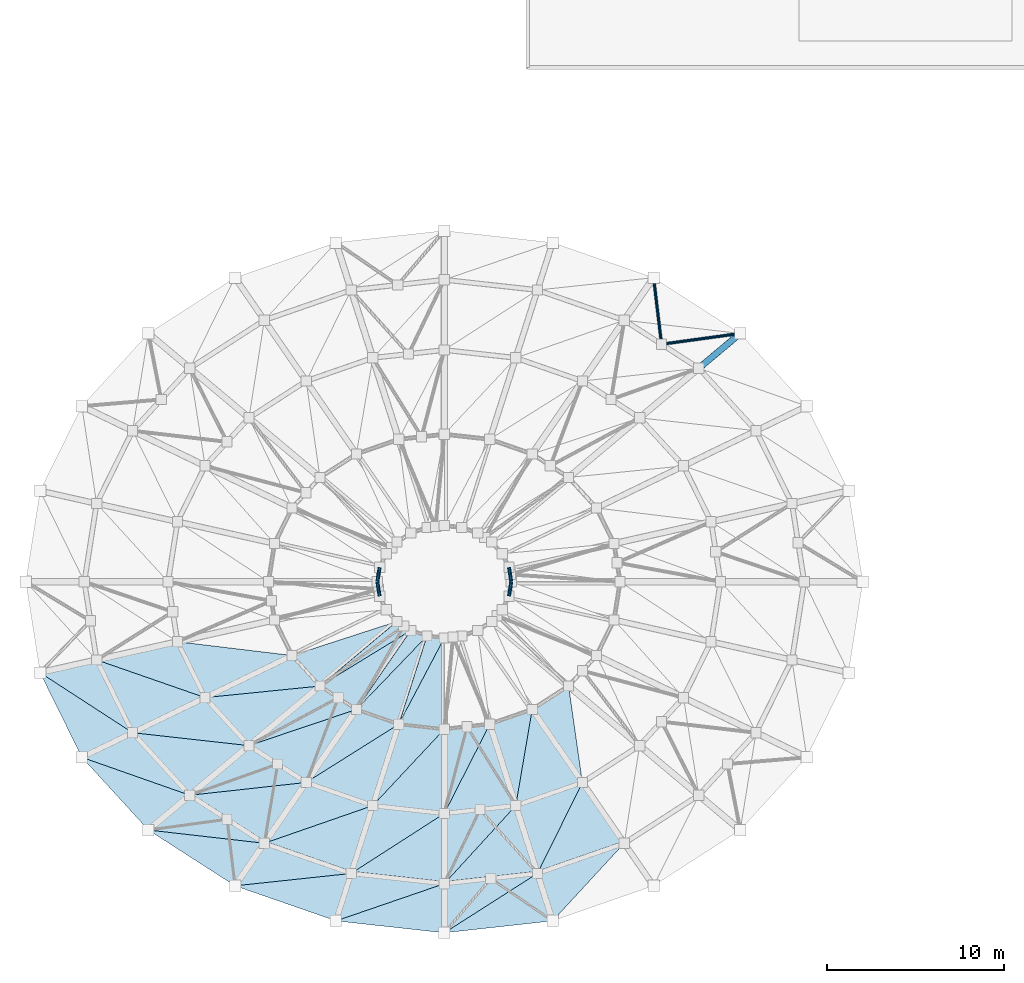
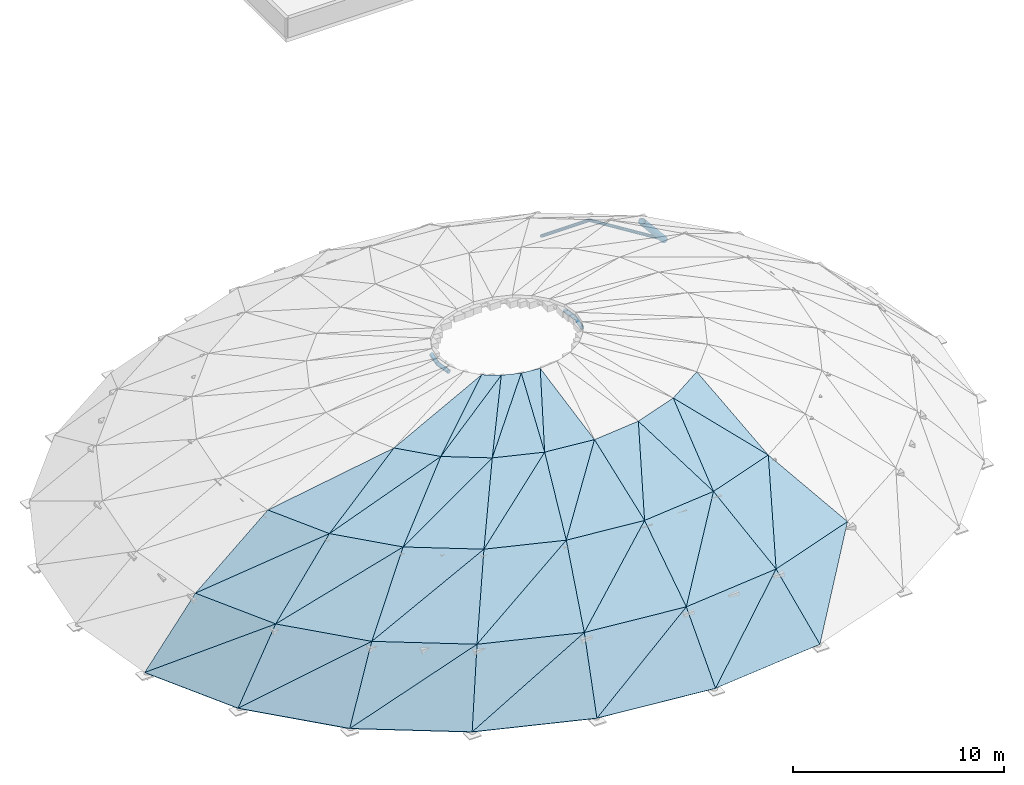
# One storey, part 5 of 11: 48 slabs, 7 members.
"""IFC4 building model written with IfcOpenShell, lengths in metres."""

from ifc_helpers import new_model, si_unit, direction, frame, origin, origin_2d, place, context, subcontext, project, spatial, polyline, hollow_circle, outline, extrude, material, layer, layer_set, material_profile, profile_set, type_object, element, save


model = new_model("IFC4")

# Units and contexts
model_context = context("Model", 3, precision=1e-05, world=origin(), true_north=direction((0.0, 1.0)))
body_context = subcontext(model_context, "Body", "Model", "MODEL_VIEW")
ifc_project = project(units=[si_unit("LENGTHUNIT", "METRE"), si_unit("AREAUNIT", "SQUARE_METRE"), si_unit("VOLUMEUNIT", "CUBIC_METRE"), si_unit("PLANEANGLEUNIT", "RADIAN"), si_unit("MASSUNIT", "GRAM", prefix="KILO")], contexts=[model_context])

# Site, building, storey
site_placement = place(None, origin())
site = spatial("IfcSite", under=ifc_project, at=site_placement, CompositionType="ELEMENT")
building_placement = place(site_placement, origin())
building = spatial("IfcBuilding", under=site, at=building_placement, Name="Parian Resonance Hall", CompositionType="ELEMENT")
storey_placement = place(building_placement, frame((0.0, 0.0, 27.60009765625)))
storey = spatial("IfcBuildingStorey", under=building, at=storey_placement, Name="ROOF", CompositionType="ELEMENT", Elevation=27.60009765625)

# Members
ifc_material_1 = material(Name="Hollow structural steel S355", Category="steel")
ifc_material_profile_1 = material_profile(ifc_material_1, hollow_circle(Radius=0.084228515625, WallThickness=0.008056640625, at=origin_2d()), Name="CHS168.3x8")
ifc_profile_set_1 = profile_set([ifc_material_profile_1], Name="Hollow structural steel S355")
member_type_1 = type_object("IfcMemberType", Name="MEM-CHS168", PredefinedType="BRACE", material=ifc_profile_set_1)
member_1_placement = place(storey_placement, frame((60.687744140625, 58.000732421875, -6.830078125), z_axis=(-0.819796544168, -0.112159423773, 0.561563789635), x_axis=(0.13555099096, -0.990770371403, 0.0)))
element("IfcMember", 1, at=member_1_placement, inside=storey, type_object=member_type_1, Name="Dome sector K-brace 2.1A", PredefinedType="BRACE", context=body_context, shape_type="SweptSolid", body=[
    extrude(hollow_circle(Radius=0.084228515625, WallThickness=0.008056640625, at=origin_2d()), origin(), (0.0, 0.0, 1.0), 5.41357421875),
])
member_2_placement = place(storey_placement, frame((55.800048828125, 61.147216796875, -6.830078125), z_axis=(0.092700336996, -0.773760956199, 0.626658304168), x_axis=(0.992899738478, 0.118954232083, 0.0)))
element("IfcMember", 2, at=member_2_placement, inside=storey, type_object=member_type_1, Name="Dome sector K-brace 2.1B", PredefinedType="BRACE", context=body_context, shape_type="SweptSolid", body=[
    extrude(hollow_circle(Radius=0.084228515625, WallThickness=0.008056640625, at=origin_2d()), origin(), (0.0, 0.0, 1.0), 4.85107421875),
])
ifc_material_2 = material(Name="Hollow structural steel S355", Category="steel")
ifc_material_profile_2 = material_profile(ifc_material_2, hollow_circle(Radius=0.109619140625, WallThickness=0.010009765625, at=origin_2d()), Name="CHS219.1x10")
ifc_profile_set_2 = profile_set([ifc_material_profile_2], Name="Hollow structural steel S355")
member_type_2 = type_object("IfcMemberType", Name="MEM-CHS219", PredefinedType="CHORD", material=ifc_profile_set_2)
for number, where, z_axis, x_axis, name in (
    (3, (47.77587890625, 44.0, 1.619873046875), (-0.155040958487, 0.987908042882, 0.0), (-0.987908042882, -0.155040958487, 0.0), "Dome tubular hoop ring J4-01"),
    (4, (40.352783203125, 44.81982421875, 1.619873046875), (-0.155040958487, -0.987908042882, 0.0), (0.987908042882, -0.155040958487, 0.0), "Dome tubular hoop ring J4-12"),
    (5, (40.22412109375, 44.0, 1.619873046875), (0.155040958487, -0.987908042882, 0.0), (0.987908042882, 0.155040958487, 0.0), "Dome tubular hoop ring J4-13"),
    (6, (47.647216796875, 43.18017578125, 1.619873046875), (0.155040958487, 0.987908042882, 0.0), (-0.987908042882, 0.155040958487, 0.0), "Dome tubular hoop ring J4-24"),
):
    element("IfcMember", number, at=place(storey_placement, frame(where, z_axis=z_axis, x_axis=x_axis)), inside=storey, type_object=member_type_2, Name=name, PredefinedType="CHORD", context=body_context, shape_type="SweptSolid", body=[
        extrude(hollow_circle(Radius=0.109619140625, WallThickness=0.010009765625, at=origin_2d()), origin(), (0.0, 0.0, 1.0), 0.829833984375),
    ])
ifc_material_3 = material(Name="Hollow structural steel S355", Category="steel")
ifc_material_profile_3 = material_profile(ifc_material_3, hollow_circle(Radius=0.177734375, WallThickness=0.01611328125, at=origin_2d()), Name="CHS355.6x16")
ifc_profile_set_3 = profile_set([ifc_material_profile_3], Name="Hollow structural steel S355")
member_type_3 = type_object("IfcMemberType", Name="MEM-CHS355", PredefinedType="CHORD", material=ifc_profile_set_3)
member_3_placement = place(storey_placement, frame((60.687744140625, 58.000732421875, -6.830078125), z_axis=(-0.542575906684, -0.455208145744, 0.705972329157), x_axis=(0.642732013242, -0.766091090637, 0.0)))
element("IfcMember", 7, at=member_3_placement, inside=storey, type_object=member_type_3, Name="Dome meridional arch rib 04.1", PredefinedType="CHORD", context=body_context, shape_type="SweptSolid", body=[
    extrude(hollow_circle(Radius=0.177734375, WallThickness=0.01611328125, at=origin_2d()), origin(), (0.0, 0.0, 1.0), 4.30615234375),
])

# Slabs
ifc_material_4 = material(Name="Concrete C35/45", Category="concrete")
ifc_layer = layer(ifc_material_4, 0.159912109375)
ifc_layer_set = layer_set([ifc_layer], Name="Concrete C35/45")
slab_type = type_object("IfcSlabType", Name="SLB-DOME-160", PredefinedType="ROOF", material=ifc_layer_set)
slab_1_placement = place(storey_placement, frame((21.2041015625, 38.87548828125, -6.489990234375), z_axis=(-0.619669601873, -0.305938105587, 0.722780367791), x_axis=(0.442697046574, -0.896671246865, 0.0)))
element("IfcSlab", 8, at=slab_1_placement, inside=storey, type_object=slab_type, Name="Main Concert Hall dome roof panel R1-14A", PredefinedType="ROOF", context=body_context, shape_type="SweptSolid", body=[
    extrude(outline(polyline([(0.0, 0.0), (5.325687247911857, -2.220446049250313e-16), (5.349614669149024, 4.398629034851133), (0.0, 0.0)])), origin(), (0.0, 0.0, -1.0), 0.159912109375),
])
slab_2_placement = place(storey_placement, frame((21.2041015625, 38.87548828125, -6.489990234375), z_axis=(-0.619672754495, -0.305949838064, 0.722772698658), x_axis=(0.753561382071, -0.489390123371, 0.43891064079)))
element("IfcSlab", 9, at=slab_2_placement, inside=storey, type_object=slab_type, Name="Main Concert Hall dome roof panel R1-14B", PredefinedType="ROOF", context=body_context, shape_type="SweptSolid", body=[
    extrude(outline(polyline([(0.0, 0.0), (6.925771761660201, 0.0), (3.388086570421104, 2.908744472500953), (0.0, 0.0)])), origin(), (0.0, 0.0, -1.0), 0.159912109375),
])
slab_3_placement = place(storey_placement, frame((23.561767578125, 34.10009765625, -6.489990234375), z_axis=(-0.52117244389, -0.476647680124, 0.707945105754), x_axis=(0.674882684077, -0.737925038695, 0.0)))
element("IfcSlab", 10, at=slab_3_placement, inside=storey, type_object=slab_type, Name="Main Concert Hall dome roof panel R1-15A", PredefinedType="ROOF", context=body_context, shape_type="SweptSolid", body=[
    extrude(outline(polyline([(0.0, 0.0), (5.557244791931365, -2.220446049250313e-16), (5.6875736862013655, 4.304027988520998), (0.0, 0.0)])), origin(), (0.0, 0.0, -1.0), 0.159912109375),
])
slab_4_placement = place(storey_placement, frame((23.561767578125, 34.10009765625, -6.489990234375), z_axis=(-0.521172881275, -0.476686473341, 0.707918663377), x_axis=(0.853400415025, -0.300120922467, 0.426186770715)))
element("IfcSlab", 11, at=slab_4_placement, inside=storey, type_object=slab_type, Name="Main Concert Hall dome roof panel R1-15B", PredefinedType="ROOF", context=body_context, shape_type="SweptSolid", body=[
    extrude(outline(polyline([(0.0, 0.0), (7.13254171820553, 4.440892098500626e-16), (3.321415495465745, 2.8838704919261735), (0.0, 0.0)])), origin(), (0.0, 0.0, -1.0), 0.159912109375),
])
slab_5_placement = place(storey_placement, frame((27.312255859375, 29.999267578125, -6.489990234375), z_axis=(-0.390828024335, -0.607105605772, 0.691864321117), x_axis=(0.840834423093, -0.541292409832, 0.0)))
element("IfcSlab", 12, at=slab_5_placement, inside=storey, type_object=slab_type, Name="Main Concert Hall dome roof panel R1-16A", PredefinedType="ROOF", context=body_context, shape_type="SweptSolid", body=[
    extrude(outline(polyline([(0.0, 0.0), (5.812910578183155, 0.0), (5.902607422714244, 4.21008171421442), (0.0, 0.0)])), origin(), (0.0, 0.0, -1.0), 0.159912109375),
])
slab_6_placement = place(storey_placement, frame((27.312255859375, 29.999267578125, -6.489990234375), z_axis=(-0.390832225607, -0.607087552172, 0.691877789371), x_axis=(0.902014402417, -0.102872811415, 0.419269844495)))
element("IfcSlab", 13, at=slab_6_placement, inside=storey, type_object=slab_type, Name="Main Concert Hall dome roof panel R1-16B", PredefinedType="ROOF", context=body_context, shape_type="SweptSolid", body=[
    extrude(outline(polyline([(0.0, 0.0), (7.250211198788897, 2.220446049250313e-16), (3.1803322417215805, 2.9029518388908793), (0.0, 0.0)])), origin(), (0.0, 0.0, -1.0), 0.159912109375),
])
slab_7_placement = place(storey_placement, frame((32.199951171875, 26.852783203125, -6.489990234375), z_axis=(-0.241052395654, -0.693642995837, 0.678787991111), x_axis=(0.944587494416, -0.328259752928, 0.0)))
element("IfcSlab", 14, at=slab_7_placement, inside=storey, type_object=slab_type, Name="Main Concert Hall dome roof panel R1-17A", PredefinedType="ROOF", context=body_context, shape_type="SweptSolid", body=[
    extrude(outline(polyline([(0.0, 0.0), (6.025799160899435, 0.0), (5.954721349029344, 4.139524634468421), (0.0, 0.0)])), origin(), (0.0, 0.0, -1.0), 0.159912109375),
])
slab_8_placement = place(storey_placement, frame((32.199951171875, 26.852783203125, -6.489990234375), z_axis=(-0.241058389175, -0.693630984924, 0.678798136239), x_axis=(0.902777264177, 0.09644840444, 0.419155003031)))
element("IfcSlab", 15, at=slab_8_placement, inside=storey, type_object=slab_type, Name="Main Concert Hall dome roof panel R1-17B", PredefinedType="ROOF", context=body_context, shape_type="SweptSolid", body=[
    extrude(outline(polyline([(0.0, 0.0), (7.252197635472765, -4.440892098500626e-16), (2.9971606079785453, 2.9580165405661853), (0.0, 0.0)])), origin(), (0.0, 0.0, -1.0), 0.159912109375),
])
slab_9_placement = place(storey_placement, frame((37.891845703125, 24.874755859375, -6.489990234375), z_axis=(-0.081361000053, -0.7364583431, 0.671572406036), x_axis=(0.993952820696, -0.109807969799, 0.0)))
element("IfcSlab", 16, at=slab_9_placement, inside=storey, type_object=slab_type, Name="Main Concert Hall dome roof panel R1-18A", PredefinedType="ROOF", context=body_context, shape_type="SweptSolid", body=[
    extrude(outline(polyline([(0.0, 0.0), (6.145316125367718, -5.551115123125783e-17), (5.840931435646422, 4.1026254441172165), (0.0, 0.0)])), origin(), (0.0, 0.0, -1.0), 0.159912109375),
])
slab_10_placement = place(storey_placement, frame((37.891845703125, 24.874755859375, -6.489990234375), z_axis=(-0.081360926314, -0.736458431038, 0.671572318535), x_axis=(0.855748925928, 0.293812033803, 0.425873531186)))
element("IfcSlab", 17, at=slab_10_placement, inside=storey, type_object=slab_type, Name="Main Concert Hall dome roof panel R1-18B", PredefinedType="ROOF", context=body_context, shape_type="SweptSolid", body=[
    extrude(outline(polyline([(0.0, 0.0), (7.137787862541207, -2.220446049250313e-16), (2.813104589609881, 3.0376238777417743), (0.0, 0.0)])), origin(), (0.0, 0.0, -1.0), 0.159912109375),
])
slab_11_placement = place(storey_placement, frame((44.0, 24.199951171875, -6.489990234375), z_axis=(0.081361007933, -0.736458414425, 0.671572326865), x_axis=(0.993952820696, 0.109807969799, 0.0)))
element("IfcSlab", 18, at=slab_11_placement, inside=storey, type_object=slab_type, Name="Main Concert Hall dome roof panel R1-19A", PredefinedType="ROOF", context=body_context, shape_type="SweptSolid", body=[
    extrude(outline(polyline([(0.0, 0.0), (6.145316125367718, -5.551115123125783e-17), (5.589272979344704, 4.1026250467806555), (0.0, 0.0)])), origin(), (0.0, 0.0, -1.0), 0.159912109375),
])
slab_12_placement = place(storey_placement, frame((44.0, 24.199951171875, -6.489990234375), z_axis=(0.081360917152, -0.7364583481, 0.671572410596), x_axis=(0.75763098785, 0.483502095843, 0.43843016498)))
element("IfcSlab", 19, at=slab_12_placement, inside=storey, type_object=slab_type, Name="Main Concert Hall dome roof panel R1-19B", PredefinedType="ROOF", context=body_context, shape_type="SweptSolid", body=[
    extrude(outline(polyline([(0.0, 0.0), (6.933361717962276, -2.220446049250313e-16), (2.6729923780216516, 3.127186806235418), (0.0, 0.0)])), origin(), (0.0, 0.0, -1.0), 0.159912109375),
])
slab_13_placement = place(storey_placement, frame((50.108154296875, 24.874755859375, -6.489990234375), z_axis=(0.241061504421, -0.693639948859, 0.678787869981), x_axis=(0.60401178601, 0.654677668586, 0.454496328495)))
element("IfcSlab", 20, at=slab_13_placement, inside=storey, type_object=slab_type, Name="Main Concert Hall dome roof panel R1-20B", PredefinedType="ROOF", context=body_context, shape_type="SweptSolid", body=[
    extrude(outline(polyline([(0.0, 0.0), (6.688271678538515, -2.220446049250313e-16), (2.6179029519247647, 3.207382170714109), (0.0, 0.0)])), origin(), (0.0, 0.0, -1.0), 0.159912109375),
])
slab_14_placement = place(storey_placement, frame((24.3955078125, 39.5927734375, -3.4501953125), z_axis=(-0.445487850061, -0.219949859982, 0.867849430801), x_axis=(0.442708885431, -0.896665401786, 0.0)))
element("IfcSlab", 21, at=slab_14_placement, inside=storey, type_object=slab_type, Name="Main Concert Hall dome roof panel R2-14A", PredefinedType="ROOF", context=body_context, shape_type="SweptSolid", body=[
    extrude(outline(polyline([(0.0, 0.0), (4.579957523669543, 0.0), (4.614214960262486, 5.233403356127788), (0.0, 0.0)])), origin(), (0.0, 0.0, -1.0), 0.159912109375),
])
slab_15_placement = place(storey_placement, frame((24.3955078125, 39.5927734375, -3.4501953125), z_axis=(-0.445487627997, -0.219948732832, 0.867849830459), x_axis=(0.87647613427, -0.304814101151, 0.372663319625)))
element("IfcSlab", 22, at=slab_15_placement, inside=storey, type_object=slab_type, Name="Main Concert Hall dome roof panel R2-14B", PredefinedType="ROOF", context=body_context, shape_type="SweptSolid", body=[
    extrude(outline(polyline([(0.0, 0.0), (6.9770688965667915, -1.1102230246251565e-16), (4.652408514316593, 2.6366185010433854), (0.0, 0.0)])), origin(), (0.0, 0.0, -1.0), 0.159912109375),
])
slab_16_placement = place(storey_placement, frame((26.423095703125, 35.486083984375, -3.4501953125), z_axis=(-0.378427647117, -0.346125723344, 0.858480925552), x_axis=(0.674912283642, -0.737897966788, 0.0)))
element("IfcSlab", 23, at=slab_16_placement, inside=storey, type_object=slab_type, Name="Main Concert Hall dome roof panel R2-15A", PredefinedType="ROOF", context=body_context, shape_type="SweptSolid", body=[
    extrude(outline(polyline([(0.0, 0.0), (4.779266899834884, 0.0), (4.965570399905479, 5.069943458447083), (0.0, 0.0)])), origin(), (0.0, 0.0, -1.0), 0.159912109375),
])
slab_17_placement = place(storey_placement, frame((26.423095703125, 35.486083984375, -3.4501953125), z_axis=(-0.37842863285, -0.346102102514, 0.858490014196), x_axis=(0.924812145276, -0.102382298354, 0.366388265278)))
element("IfcSlab", 24, at=slab_17_placement, inside=storey, type_object=slab_type, Name="Main Concert Hall dome roof panel R2-15B", PredefinedType="ROOF", context=body_context, shape_type="SweptSolid", body=[
    extrude(outline(polyline([(0.0, 0.0), (7.096563680279902, 1.1102230246251565e-16), (4.530235433086178, 2.6204295794205206), (0.0, 0.0)])), origin(), (0.0, 0.0, -1.0), 0.159912109375),
])
slab_18_placement = place(storey_placement, frame((29.648681640625, 31.95947265625, -3.4501953125), z_axis=(-0.286852143249, -0.445573200138, 0.848045029012), x_axis=(0.84082444834, -0.54130790413, 0.0)))
element("IfcSlab", 25, at=slab_18_placement, inside=storey, type_object=slab_type, Name="Main Concert Hall dome roof panel R2-16A", PredefinedType="ROOF", context=body_context, shape_type="SweptSolid", body=[
    extrude(outline(polyline([(0.0, 0.0), (4.999104330187486, 0.0), (5.126950274607668, 4.906546616295962), (0.0, 0.0)])), origin(), (0.0, 0.0, -1.0), 0.159912109375),
])
slab_19_placement = place(storey_placement, frame((29.648681640625, 31.95947265625, -3.4501953125), z_axis=(-0.286849115746, -0.445583983818, 0.848040387104), x_axis=(0.924859377949, 0.101936477955, 0.366393348032)))
element("IfcSlab", 26, at=slab_19_placement, inside=storey, type_object=slab_type, Name="Main Concert Hall dome roof panel R2-16B", PredefinedType="ROOF", context=body_context, shape_type="SweptSolid", body=[
    extrude(outline(polyline([(0.0, 0.0), (7.096465233916461, -1.1102230246251565e-16), (4.324713456730808, 2.6525250579703097), (0.0, 0.0)])), origin(), (0.0, 0.0, -1.0), 0.159912109375),
])
slab_20_placement = place(storey_placement, frame((33.85205078125, 29.25341796875, -3.4501953125), z_axis=(-0.178471496196, -0.513540972838, 0.839299466378), x_axis=(0.944583201085, -0.328272106991, 0.0)))
element("IfcSlab", 27, at=slab_20_placement, inside=storey, type_object=slab_type, Name="Main Concert Hall dome roof panel R2-17A", PredefinedType="ROOF", context=body_context, shape_type="SweptSolid", body=[
    extrude(outline(polyline([(0.0, 0.0), (5.182200493961035, 0.0), (5.080323212419897, 4.782497789224821), (0.0, 0.0)])), origin(), (0.0, 0.0, -1.0), 0.159912109375),
])
slab_21_placement = place(storey_placement, frame((33.85205078125, 29.25341796875, -3.4501953125), z_axis=(-0.178482549537, -0.513521127472, 0.839309258349), x_axis=(0.876628775796, 0.304386449553, 0.372653832364)))
element("IfcSlab", 28, at=slab_21_placement, inside=storey, type_object=slab_type, Name="Main Concert Hall dome roof panel R2-17B", PredefinedType="ROOF", context=body_context, shape_type="SweptSolid", body=[
    extrude(outline(polyline([(0.0, 0.0), (6.977246523277841, 0.0), (4.081536503512632, 2.726096853357181), (0.0, 0.0)])), origin(), (0.0, 0.0, -1.0), 0.159912109375),
])
slab_22_placement = place(storey_placement, frame((38.7470703125, 27.55224609375, -3.4501953125), z_axis=(-0.060524548482, -0.547852833459, 0.834382437436), x_axis=(0.993952832989, -0.109807858525, 0.0)))
element("IfcSlab", 29, at=slab_22_placement, inside=storey, type_object=slab_type, Name="Main Concert Hall dome roof panel R2-18A", PredefinedType="ROOF", context=body_context, shape_type="SweptSolid", body=[
    extrude(outline(polyline([(0.0, 0.0), (5.284888289623441, 0.0), (4.850053459235713, 4.717278571257404), (0.0, 0.0)])), origin(), (0.0, 0.0, -1.0), 0.159912109375),
])
slab_23_placement = place(storey_placement, frame((38.7470703125, 27.55224609375, -3.4501953125), z_axis=(-0.060515975073, -0.547862004592, 0.834377037487), x_axis=(0.776397129933, 0.499519681616, 0.384301423768)))
element("IfcSlab", 30, at=slab_23_placement, inside=storey, type_object=slab_type, Name="Main Concert Hall dome roof panel R2-18B", PredefinedType="ROOF", context=body_context, shape_type="SweptSolid", body=[
    extrude(outline(polyline([(0.0, 0.0), (6.765776797699479, 0.0), (3.8581786757970504, 2.8279182078093124), (0.0, 0.0)])), origin(), (0.0, 0.0, -1.0), 0.159912109375),
])
slab_24_placement = place(storey_placement, frame((44.0, 26.971923828125, -3.4501953125), z_axis=(0.060525299127, -0.547859628106, 0.834377921602), x_axis=(0.993952832989, 0.109807858525, 0.0)))
element("IfcSlab", 31, at=slab_24_placement, inside=storey, type_object=slab_type, Name="Main Concert Hall dome roof panel R2-19A", PredefinedType="ROOF", context=body_context, shape_type="SweptSolid", body=[
    extrude(outline(polyline([(0.0, 0.0), (5.284888289623441, 0.0), (4.490848664638484, 4.717220066775373), (0.0, 0.0)])), origin(), (0.0, 0.0, -1.0), 0.159912109375),
])
slab_25_placement = place(storey_placement, frame((44.0, 26.971923828125, -3.4501953125), z_axis=(0.060514997153, -0.547853151306, 0.83438292152), x_axis=(0.618986646287, 0.676375888427, 0.399213212799)))
element("IfcSlab", 32, at=slab_25_placement, inside=storey, type_object=slab_type, Name="Main Concert Hall dome roof panel R2-19B", PredefinedType="ROOF", context=body_context, shape_type="SweptSolid", body=[
    extrude(outline(polyline([(0.0, 0.0), (6.513055111625689, -1.1102230246251565e-16), (3.716415436180972, 2.937695483585462), (0.0, 0.0)])), origin(), (0.0, 0.0, -1.0), 0.159912109375),
])
slab_26_placement = place(storey_placement, frame((49.2529296875, 27.55224609375, -3.4501953125), z_axis=(0.17846761139, -0.513529794543, 0.839307131985), x_axis=(0.944583201085, 0.328272106991, 0.0)))
element("IfcSlab", 33, at=slab_26_placement, inside=storey, type_object=slab_type, Name="Main Concert Hall dome roof panel R2-20A", PredefinedType="ROOF", context=body_context, shape_type="SweptSolid", body=[
    extrude(outline(polyline([(0.0, 0.0), (5.182200493961035, 0.0), (4.078903879021692, 4.782601892574108), (0.0, 0.0)])), origin(), (0.0, 0.0, -1.0), 0.159912109375),
])
slab_27_placement = place(storey_placement, frame((49.2529296875, 27.55224609375, -3.4501953125), z_axis=(0.178487612003, -0.513535692949, 0.839299269885), x_axis=(0.403317588851, 0.816228729748, 0.413649106439)))
element("IfcSlab", 34, at=slab_27_placement, inside=storey, type_object=slab_type, Name="Main Concert Hall dome roof panel R2-20B", PredefinedType="ROOF", context=body_context, shape_type="SweptSolid", body=[
    extrude(outline(polyline([(0.0, 0.0), (6.285756733850878, -6.661338147750939e-16), (3.704936668826436, 3.0259062054894867), (0.0, 0.0)])), origin(), (0.0, 0.0, -1.0), 0.159912109375),
])
slab_28_placement = place(storey_placement, frame((28.95458984375, 40.617919921875, -0.85009765625), z_axis=(-0.281201307646, -0.138836338879, 0.949552681838), x_axis=(0.442707238803, -0.896666214771, 0.0)))
element("IfcSlab", 35, at=slab_28_placement, inside=storey, type_object=slab_type, Name="Main Concert Hall dome roof panel R3-14A", PredefinedType="ROOF", context=body_context, shape_type="SweptSolid", body=[
    extrude(outline(polyline([(0.0, 0.0), (3.5150822199271383, -2.220446049250313e-16), (3.5562243683363417, 5.739813170256576), (0.0, 0.0)])), origin(), (0.0, 0.0, -1.0), 0.159912109375),
])
slab_29_placement = place(storey_placement, frame((30.5107421875, 37.466064453125, -0.85009765625), z_axis=(-0.240431344186, -0.219892963982, 0.945431040914), x_axis=(0.674886246736, -0.737921780385, 0.0)))
element("IfcSlab", 36, at=slab_29_placement, inside=storey, type_object=slab_type, Name="Main Concert Hall dome roof panel R3-15A", PredefinedType="ROOF", context=body_context, shape_type="SweptSolid", body=[
    extrude(outline(polyline([(0.0, 0.0), (3.6677911408702673, 0.0), (3.891299786933998, 5.524634238205889), (0.0, 0.0)])), origin(), (0.0, 0.0, -1.0), 0.159912109375),
])
slab_30_placement = place(storey_placement, frame((30.5107421875, 37.466064453125, -0.85009765625), z_axis=(-0.240432914655, -0.219882801609, 0.945433005087), x_axis=(0.959003976477, 0.096716909472, 0.266377950519)))
element("IfcSlab", 37, at=slab_30_placement, inside=storey, type_object=slab_type, Name="Main Concert Hall dome roof panel R3-15B", PredefinedType="ROOF", context=body_context, shape_type="SweptSolid", body=[
    extrude(outline(polyline([(0.0, 0.0), (6.757499352404655, 1.1102230246251565e-16), (5.413467160044733, 1.9082770273059912), (0.0, 0.0)])), origin(), (0.0, 0.0, -1.0), 0.159912109375),
])
slab_31_placement = place(storey_placement, frame((32.986083984375, 34.759521484375, -0.85009765625), z_axis=(-0.183572805246, -0.285157239091, 0.940737144035), x_axis=(0.840833011085, -0.541294603216, 0.0)))
element("IfcSlab", 38, at=slab_31_placement, inside=storey, type_object=slab_type, Name="Main Concert Hall dome roof panel R3-16A", PredefinedType="ROOF", context=body_context, shape_type="SweptSolid", body=[
    extrude(outline(polyline([(0.0, 0.0), (3.83646935312824, -2.220446049250313e-16), (3.9901805583972783, 5.307739972075415), (0.0, 0.0)])), origin(), (0.0, 0.0, -1.0), 0.159912109375),
])
slab_32_placement = place(storey_placement, frame((32.986083984375, 34.759521484375, -0.85009765625), z_axis=(-0.183576285715, -0.285148607111, 0.940739081354), x_axis=(0.91228667054, 0.307000108774, 0.271079257723)))
element("IfcSlab", 39, at=slab_32_placement, inside=storey, type_object=slab_type, Name="Main Concert Hall dome roof panel R3-16B", PredefinedType="ROOF", context=body_context, shape_type="SweptSolid", body=[
    extrude(outline(polyline([(0.0, 0.0), (6.6403045487220504, 0.0), (5.1733331773581686, 1.9514516178648231), (0.0, 0.0)])), origin(), (0.0, 0.0, -1.0), 0.159912109375),
])
slab_33_placement = place(storey_placement, frame((36.2119140625, 32.682861328125, -0.85009765625), z_axis=(-0.114920543533, -0.330643680505, 0.936732632727), x_axis=(0.944572962481, -0.328301566475, 0.0)))
element("IfcSlab", 40, at=slab_33_placement, inside=storey, type_object=slab_type, Name="Main Concert Hall dome roof panel R3-17A", PredefinedType="ROOF", context=body_context, shape_type="SweptSolid", body=[
    extrude(outline(polyline([(0.0, 0.0), (3.977026599414762, 2.220446049250313e-16), (3.8548983983417395, 5.142325574145984), (0.0, 0.0)])), origin(), (0.0, 0.0, -1.0), 0.159912109375),
])
slab_34_placement = place(storey_placement, frame((36.2119140625, 32.682861328125, -0.85009765625), z_axis=(-0.114912173281, -0.330655304368, 0.936729556556), x_axis=(0.812637163103, 0.511051222664, 0.280084788872)))
element("IfcSlab", 41, at=slab_34_placement, inside=storey, type_object=slab_type, Name="Main Concert Hall dome roof panel R3-17B", PredefinedType="ROOF", context=body_context, shape_type="SweptSolid", body=[
    extrude(outline(polyline([(0.0, 0.0), (6.426799667957102, -3.885780586188048e-16), (4.908675695696457, 2.0250021383374617), (0.0, 0.0)])), origin(), (0.0, 0.0, -1.0), 0.159912109375),
])
slab_35_placement = place(storey_placement, frame((39.968505859375, 31.377197265625, -0.85009765625), z_axis=(-0.039096956255, -0.353951775567, 0.934446129311), x_axis=(0.993954731115, -0.109790675804, 0.0)))
element("IfcSlab", 42, at=slab_35_placement, inside=storey, type_object=slab_type, Name="Main Concert Hall dome roof panel R3-18A", PredefinedType="ROOF", context=body_context, shape_type="SweptSolid", body=[
    extrude(outline(polyline([(0.0, 0.0), (4.056013834856824, 0.0), (3.5342668855091186, 5.054832811863739), (0.0, 0.0)])), origin(), (0.0, 0.0, -1.0), 0.159912109375),
])
slab_36_placement = place(storey_placement, frame((39.968505859375, 31.377197265625, -0.85009765625), z_axis=(-0.039075429757, -0.353969496456, 0.934440317178), x_axis=(0.653630349708, 0.698279718961, 0.291843793883)))
element("IfcSlab", 43, at=slab_36_placement, inside=storey, type_object=slab_type, Name="Main Concert Hall dome roof panel R3-18B", PredefinedType="ROOF", context=body_context, shape_type="SweptSolid", body=[
    extrude(outline(polyline([(0.0, 0.0), (6.167850287896149, 9.43689570931383e-16), (4.6887625826377315, 2.1151673814782375), (0.0, 0.0)])), origin(), (0.0, 0.0, -1.0), 0.159912109375),
])
slab_37_placement = place(storey_placement, frame((44.0, 30.931884765625, -0.85009765625), z_axis=(0.039098178996, -0.353962845261, 0.93444188507), x_axis=(0.993954731115, 0.109790675804, 0.0)))
element("IfcSlab", 44, at=slab_37_placement, inside=storey, type_object=slab_type, Name="Main Concert Hall dome roof panel R3-19A", PredefinedType="ROOF", context=body_context, shape_type="SweptSolid", body=[
    extrude(outline(polyline([(0.0, 0.0), (4.056013834856824, 5.551115123125783e-17), (3.1027609870655466, 5.054674729019759), (0.0, 0.0)])), origin(), (0.0, 0.0, -1.0), 0.159912109375),
])
slab_38_placement = place(storey_placement, frame((44.0, 30.931884765625, -0.85009765625), z_axis=(0.039073509374, -0.353952100434, 0.934446986973), x_axis=(0.432545269173, 0.848995639199, 0.303497932015)))
element("IfcSlab", 45, at=slab_38_placement, inside=storey, type_object=slab_type, Name="Main Concert Hall dome roof panel R3-19B", PredefinedType="ROOF", context=body_context, shape_type="SweptSolid", body=[
    extrude(outline(polyline([(0.0, 0.0), (5.931008544846899, -1.1102230246251565e-16), (4.580905851989581, 2.199740032425543), (0.0, 0.0)])), origin(), (0.0, 0.0, -1.0), 0.159912109375),
])
slab_39_placement = place(storey_placement, frame((48.031494140625, 31.377197265625, -0.85009765625), z_axis=(0.114922317781, -0.330648785282, 0.936730613179), x_axis=(0.944572962481, 0.328301566475, 0.0)))
element("IfcSlab", 46, at=slab_39_placement, inside=storey, type_object=slab_type, Name="Main Concert Hall dome roof panel R3-20A", PredefinedType="ROOF", context=body_context, shape_type="SweptSolid", body=[
    extrude(outline(polyline([(0.0, 0.0), (3.977026599414762, 0.0), (2.653004343487087, 5.142246183488358), (0.0, 0.0)])), origin(), (0.0, 0.0, -1.0), 0.159912109375),
])
slab_40_placement = place(storey_placement, frame((48.031494140625, 31.377197265625, -0.85009765625), z_axis=(0.114909385472, -0.330647282558, 0.936732730114), x_axis=(0.159784746307, 0.936852523635, 0.311088707294)))
element("IfcSlab", 47, at=slab_40_placement, inside=storey, type_object=slab_type, Name="Main Concert Hall dome roof panel R3-20B", PredefinedType="ROOF", context=body_context, shape_type="SweptSolid", body=[
    extrude(outline(polyline([(0.0, 0.0), (5.786287916977683, 0.0), (4.625955550334381, 2.2492138302846376), (0.0, 0.0)])), origin(), (0.0, 0.0, -1.0), 0.159912109375),
])
slab_41_placement = place(storey_placement, frame((51.7880859375, 32.682861328125, -0.85009765625), z_axis=(0.183579082714, -0.285152951683, 0.940737218641), x_axis=(-0.134831451292, 0.940652126822, 0.311438687461)))
element("IfcSlab", 48, at=slab_41_placement, inside=storey, type_object=slab_type, Name="Main Concert Hall dome roof panel R3-21B", PredefinedType="ROOF", context=body_context, shape_type="SweptSolid", body=[
    extrude(outline(polyline([(0.0, 0.0), (5.7797855584416045, 2.7755575615628914e-16), (4.813455695153558, 2.241957853436627), (0.0, 0.0)])), origin(), (0.0, 0.0, -1.0), 0.159912109375),
])
slab_42_placement = place(storey_placement, frame((35.416015625, 39.842041015625, 0.949951171875), z_axis=(-0.129666443225, -0.118583684151, 0.984441223921), x_axis=(0.674866861926, -0.737939508817, 0.0)))
element("IfcSlab", 49, at=slab_42_placement, inside=storey, type_object=slab_type, Name="Main Concert Hall dome roof panel R4-15A", PredefinedType="ROOF", context=body_context, shape_type="SweptSolid", body=[
    extrude(outline(polyline([(0.0, 0.0), (2.3340830634413186, 0.0), (2.575859883308885, 5.748026180185735), (0.0, 0.0)])), origin(), (0.0, 0.0, -1.0), 0.159912109375),
])
slab_43_placement = place(storey_placement, frame((36.9912109375, 38.11962890625, 0.949951171875), z_axis=(-0.099353643318, -0.15432577739, 0.983011906333), x_axis=(0.840820882046, -0.541313443686, 0.0)))
element("IfcSlab", 50, at=slab_43_placement, inside=storey, type_object=slab_type, Name="Main Concert Hall dome roof panel R4-16A", PredefinedType="ROOF", context=body_context, shape_type="SweptSolid", body=[
    extrude(outline(polyline([(0.0, 0.0), (2.441345616922861, 0.0), (2.607769256941222, 5.502886921212151), (0.0, 0.0)])), origin(), (0.0, 0.0, -1.0), 0.159912109375),
])
slab_44_placement = place(storey_placement, frame((36.9912109375, 38.11962890625, 0.949951171875), z_axis=(-0.099375945675, -0.1542904285, 0.983015200846), x_axis=(0.84092861218, 0.515101349668, 0.165860389444)))
element("IfcSlab", 51, at=slab_44_placement, inside=storey, type_object=slab_type, Name="Main Concert Hall dome roof panel R4-16B", PredefinedType="ROOF", context=body_context, shape_type="SweptSolid", body=[
    extrude(outline(polyline([(0.0, 0.0), (6.0895176299191, -2.914335439641036e-16), (5.691363269458235, 0.8406218732507292), (0.0, 0.0)])), origin(), (0.0, 0.0, -1.0), 0.159912109375),
])
slab_45_placement = place(storey_placement, frame((39.0439453125, 36.798095703125, 0.949951171875), z_axis=(-0.062377967097, -0.179490171557, 0.981780152343), x_axis=(0.944583955965, -0.32826993486, 0.0)))
element("IfcSlab", 52, at=slab_45_placement, inside=storey, type_object=slab_type, Name="Main Concert Hall dome roof panel R4-17A", PredefinedType="ROOF", context=body_context, shape_type="SweptSolid", body=[
    extrude(outline(polyline([(0.0, 0.0), (2.5308761438331464, 0.0), (2.3986292200841635, 5.315271648022106), (0.0, 0.0)])), origin(), (0.0, 0.0, -1.0), 0.159912109375),
])
slab_46_placement = place(storey_placement, frame((39.0439453125, 36.798095703125, 0.949951171875), z_axis=(-0.06236773549, -0.179499732545, 0.981779054363), x_axis=(0.682296137516, 0.710262868808, 0.173201148733)))
element("IfcSlab", 53, at=slab_46_placement, inside=storey, type_object=slab_type, Name="Main Concert Hall dome roof panel R4-17B", PredefinedType="ROOF", context=body_context, shape_type="SweptSolid", body=[
    extrude(outline(polyline([(0.0, 0.0), (5.831426483092211, 1.3877787807814457e-16), (5.434828847603685, 0.878690328192763), (0.0, 0.0)])), origin(), (0.0, 0.0, -1.0), 0.159912109375),
])
slab_47_placement = place(storey_placement, frame((41.4345703125, 35.96728515625, 0.949951171875), z_axis=(-0.021248553782, -0.192482588915, 0.98107030937), x_axis=(0.993961925235, -0.109725526577, 0.0)))
element("IfcSlab", 54, at=slab_47_placement, inside=storey, type_object=slab_type, Name="Main Concert Hall dome roof panel R4-18A", PredefinedType="ROOF", context=body_context, shape_type="SweptSolid", body=[
    extrude(outline(polyline([(0.0, 0.0), (2.5810140432620883, -5.551115123125783e-17), (2.01615260444222, 5.215595118528753), (0.0, 0.0)])), origin(), (0.0, 0.0, -1.0), 0.159912109375),
])
slab_48_placement = place(storey_placement, frame((41.4345703125, 35.96728515625, 0.949951171875), z_axis=(-0.021253127931, -0.192480251378, 0.981070668903), x_axis=(0.45879101041, 0.86999140402, 0.180626038263)))
element("IfcSlab", 55, at=slab_48_placement, inside=storey, type_object=slab_type, Name="Main Concert Hall dome roof panel R4-18B", PredefinedType="ROOF", context=body_context, shape_type="SweptSolid", body=[
    extrude(outline(polyline([(0.0, 0.0), (5.5917174253372375, -2.7755575615628914e-16), (5.2372242090051495, 0.917106605427686), (0.0, 0.0)])), origin(), (0.0, 0.0, -1.0), 0.159912109375),
])

save(model, "model.ifc")
